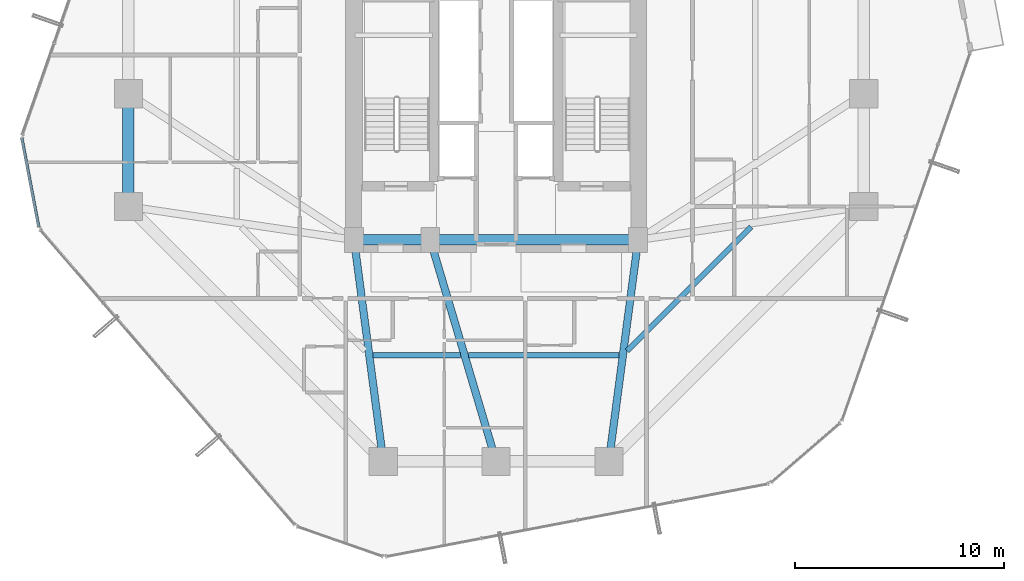
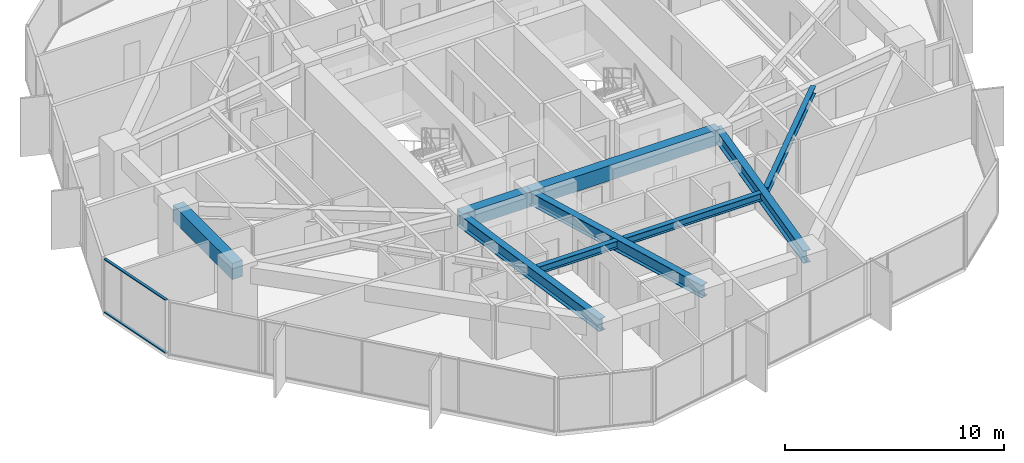
# One storey, part 9 of 38: 9 beams, 2 members, 1 element without a shape of its own.
"""IFC4 building model written with IfcOpenShell, lengths in metres."""

from ifc_helpers import new_model, si_unit, direction, frame, origin, origin_2d, place, context, subcontext, project, spatial, rectangle, hollow_rectangle, i_section, extrude, source, transform, mapped, material, layer, layer_set, material_profile, profile_set, type_object, element, aggregate, save


model = new_model("IFC4")

# Units and contexts
model_context = context("Model", 3, precision=1e-05, world=origin(), true_north=direction((0.0, 1.0)))
body_context = subcontext(model_context, "Body", "Model", "MODEL_VIEW")
ifc_project = project(units=[si_unit("LENGTHUNIT", "METRE"), si_unit("AREAUNIT", "SQUARE_METRE"), si_unit("VOLUMEUNIT", "CUBIC_METRE"), si_unit("PLANEANGLEUNIT", "RADIAN"), si_unit("MASSUNIT", "GRAM", prefix="KILO")], contexts=[model_context])

# Site, building, storey
site_placement = place(None, origin())
site = spatial("IfcSite", under=ifc_project, at=site_placement, CompositionType="ELEMENT")
building_placement = place(site_placement, origin())
building = spatial("IfcBuilding", under=site, at=building_placement, Name="Veraguas Prism Commons", CompositionType="ELEMENT")
storey_placement = place(building_placement, frame((0.0, 0.0, 60.85009765625)))
storey = spatial("IfcBuildingStorey", under=building, at=storey_placement, Name="L16", CompositionType="ELEMENT", Elevation=60.85009765625)

# Beams
ifc_material_1 = material(Name="Concrete C50/60", Category="concrete")
ifc_material_profile_1 = material_profile(ifc_material_1, rectangle(XDim=0.5, YDim=0.85009765625, at=origin_2d()), Name="RC500X850")
ifc_profile_set_1 = profile_set([ifc_material_profile_1], Name="Concrete C50/60")
beam_type_1 = type_object("IfcBeamType", Name="Core Coupling Beam RC 500x850", PredefinedType="BEAM", material=ifc_profile_set_1)
beam_1_placement = place(storey_placement, frame((17.199951171875, 17.0, 2.574951171875), z_axis=(1.0, 0.0, 0.0), x_axis=(0.0, 1.0, 0.0)))
element("IfcBeam", 1, at=beam_1_placement, inside=storey, type_object=beam_type_1, Name="Core Coupling Beam L16-CRS1", PredefinedType="BEAM", context=body_context, shape_type="SweptSolid", body=[
    extrude(rectangle(XDim=0.5, YDim=0.85009765625, at=origin_2d()), origin(), (0.0, 0.0, 1.0), 3.650146484375),
])
beam_2_placement = place(storey_placement, frame((20.85009765625, 17.0, 2.574951171875), z_axis=(1.0, 0.0, 0.0), x_axis=(0.0, 1.0, 0.0)))
element("IfcBeam", 2, at=beam_2_placement, inside=storey, type_object=beam_type_1, Name="Core Coupling Beam L16-CRS2", PredefinedType="BEAM", context=body_context, shape_type="SweptSolid", body=[
    extrude(rectangle(XDim=0.5, YDim=0.85009765625, at=origin_2d()), origin(), (0.0, 0.0, 1.0), 9.949951171875),
])
ifc_material_2 = material(Name="Steel ASTM A992 Grade 50", Category="steel")
ifc_material_profile_2 = material_profile(ifc_material_2, i_section(OverallWidth=0.260986328125, OverallDepth=0.419921875, WebThickness=0.01171875, FlangeThickness=0.019287109375, at=origin_2d()), Name="W410X114")
ifc_profile_set_2 = profile_set([ifc_material_profile_2], Name="Steel ASTM A992 Grade 50")
beam_type_2 = type_object("IfcBeamType", Name="Lower Floor Joist W410x114", PredefinedType="JOIST", material=ifc_profile_set_2)
beam_3_placement = place(storey_placement, frame((18.10546875, 11.488037109375, 2.789794921875), z_axis=(1.0, 0.0, 0.0), x_axis=(0.0, 1.0, 0.0)))
element("IfcBeam", 3, at=beam_3_placement, inside=storey, type_object=beam_type_2, Name="Composite Floor Joist L16-JS10", PredefinedType="JOIST", context=body_context, shape_type="SweptSolid", body=[
    extrude(i_section(OverallWidth=0.260986328125, OverallDepth=0.419921875, WebThickness=0.01171875, FlangeThickness=0.019287109375, at=origin_2d()), origin(), (0.0, 0.0, 1.0), 4.198974609375),
])
beam_4_placement = place(storey_placement, frame((22.671630859375, 11.488037109375, 2.789794921875), z_axis=(1.0, 0.0, 0.0), x_axis=(0.0, 1.0, 0.0)))
element("IfcBeam", 4, at=beam_4_placement, inside=storey, type_object=beam_type_2, Name="Composite Floor Joist L16-JS11", PredefinedType="JOIST", context=body_context, shape_type="SweptSolid", body=[
    extrude(i_section(OverallWidth=0.260986328125, OverallDepth=0.419921875, WebThickness=0.01171875, FlangeThickness=0.019287109375, at=origin_2d()), origin(), (0.0, 0.0, 1.0), 7.222900390625),
])
beam_5_placement = place(storey_placement, frame((30.276611328125, 11.6923828125, 2.789794921875), z_axis=(0.707092226423, 0.70712133565, 0.0), x_axis=(-0.70712133565, 0.707092226423, 0.0)))
element("IfcBeam", 5, at=beam_5_placement, inside=storey, type_object=beam_type_2, Name="Composite Floor Joist L16-JS12", PredefinedType="JOIST", context=body_context, shape_type="SweptSolid", body=[
    extrude(i_section(OverallWidth=0.260986328125, OverallDepth=0.419921875, WebThickness=0.01171875, FlangeThickness=0.019287109375, at=origin_2d()), origin(), (0.0, 0.0, 1.0), 8.386962890625),
])
ifc_material_profile_3 = material_profile(ifc_material_1, rectangle(XDim=0.550048828125, YDim=0.89990234375, at=origin_2d()), Name="RC550X900")
ifc_profile_set_3 = profile_set([ifc_material_profile_3], Name="Concrete C50/60")
beam_type_3 = type_object("IfcBeamType", Name="Perimeter Spandrel Lower RC 550x900", PredefinedType="SPANDREL", material=ifc_profile_set_3)
beam_6_placement = place(storey_placement, frame((6.39990234375, 24.0, 2.5498046875), z_axis=(0.0, -1.0, 0.0), x_axis=(1.0, 0.0, 0.0)))
element("IfcBeam", 6, at=beam_6_placement, inside=storey, type_object=beam_type_3, Name="Perimeter Spandrel Beam L16-SP08", PredefinedType="SPANDREL", context=body_context, shape_type="SweptSolid", body=[
    extrude(rectangle(XDim=0.550048828125, YDim=0.89990234375, at=origin_2d()), origin(), (0.0, 0.0, 1.0), 5.39990234375),
])
ifc_material_profile_4 = material_profile(ifc_material_2, i_section(OverallWidth=0.35595703125, OverallDepth=0.700927734375, WebThickness=0.016845703125, FlangeThickness=0.02734375, at=origin_2d()), Name="W690X240")
ifc_profile_set_4 = profile_set([ifc_material_profile_4], Name="Steel ASTM A992 Grade 50")
beam_type_4 = type_object("IfcBeamType", Name="Zone 1 Radial Girder W690x240", PredefinedType="BEAM", material=ifc_profile_set_4)
beam_7_placement = place(storey_placement, frame((18.60009765625, 6.39990234375, 2.6494140625), z_axis=(-0.130950648891, 0.991388888154, 0.0), x_axis=(-0.991388888154, -0.130950648891, 0.0)))
element("IfcBeam", 7, at=beam_7_placement, inside=storey, type_object=beam_type_4, Name="Radial Floor Girder L16-RD10", PredefinedType="BEAM", context=body_context, shape_type="SweptSolid", body=[
    extrude(i_section(OverallWidth=0.35595703125, OverallDepth=0.700927734375, WebThickness=0.016845703125, FlangeThickness=0.02734375, at=origin_2d()), origin(), (0.0, 0.0, 1.0), 10.692138671875),
])
beam_8_placement = place(storey_placement, frame((24.0, 6.39990234375, 2.6494140625), z_axis=(-0.28484745997, 0.958572858237, 0.0), x_axis=(-0.958572858237, -0.28484745997, 0.0)))
element("IfcBeam", 8, at=beam_8_placement, inside=storey, type_object=beam_type_4, Name="Radial Floor Girder L16-RD11", PredefinedType="BEAM", context=body_context, shape_type="SweptSolid", body=[
    extrude(i_section(OverallWidth=0.35595703125, OverallDepth=0.700927734375, WebThickness=0.016845703125, FlangeThickness=0.02734375, at=origin_2d()), origin(), (0.0, 0.0, 1.0), 11.05810546875),
])
beam_9_placement = place(storey_placement, frame((29.39990234375, 6.39990234375, 2.6494140625), z_axis=(0.130950648891, 0.991388888154, 0.0), x_axis=(-0.991388888154, 0.130950648891, 0.0)))
element("IfcBeam", 9, at=beam_9_placement, inside=storey, type_object=beam_type_4, Name="Radial Floor Girder L16-RD12", PredefinedType="BEAM", context=body_context, shape_type="SweptSolid", body=[
    extrude(i_section(OverallWidth=0.35595703125, OverallDepth=0.700927734375, WebThickness=0.016845703125, FlangeThickness=0.02734375, at=origin_2d()), origin(), (0.0, 0.0, 1.0), 10.692138671875),
])

# Curtain wall, members
ifc_material_3 = material(Name="Anodised aluminium EN AW-6063 T6", Category="aluminium")
ifc_layer = layer(ifc_material_3, 0.169921875, Name="Unitised Flush Curtain Wall Zone 1", Category="aluminium")
ifc_layer_set = layer_set([ifc_layer], Name="Anodised aluminium EN AW-6063 T6")
curtain_wall_type = type_object("IfcCurtainWallType", Name="Unitised Flush Curtain Wall Zone 1", PredefinedType="NOTDEFINED", material=ifc_layer_set)
curtain_wall_placement = place(storey_placement, origin())
curtain_wall = element("IfcCurtainWall", 10, at=curtain_wall_placement, inside=storey, type_object=curtain_wall_type, Name="Chamfer Curtain Wall L16-C4", PredefinedType="NOTDEFINED")
ifc_material_profile_5 = material_profile(ifc_material_3, hollow_rectangle(XDim=0.054931640625, YDim=0.135009765625, WallThickness=0.0029296875, at=origin_2d()), Name="AL55X135X3")
ifc_profile_set_5 = profile_set([ifc_material_profile_5], Name="Anodised aluminium EN AW-6063 T6")
member_type = type_object("IfcMemberType", Name="Curtain Wall Transom Standard AL 55x135x3", PredefinedType="USERDEFINED", material=ifc_profile_set_5)
shared_shape = source(origin(), body_context, "Body", "SweptSolid", [
    extrude(hollow_rectangle(XDim=0.054931640625, YDim=0.135009765625, WallThickness=0.0029296875, at=origin_2d()), origin(), (0.0, 0.0, 1.0), 4.320068359375),
])
member_1_placement = place(storey_placement, frame((1.295654296875, 21.8759765625, 0.02734375), z_axis=(0.187054977202, -0.982349446737, 0.0), x_axis=(0.0, 0.0, 1.0)))
member_1 = element("IfcMember", 11, at=member_1_placement, type_object=member_type, Name="CW-Z1 Transom 1", ObjectType="TRANSOM", PredefinedType="USERDEFINED", context=body_context, shape_type="MappedRepresentation", body=[
    mapped(shared_shape, transform((0.0, 0.0, 0.0), scale=1.0)),
])
member_2_placement = place(storey_placement, frame((1.295654296875, 21.8759765625, 2.972412109375), z_axis=(0.187054977202, -0.982349446737, 0.0), x_axis=(0.0, 0.0, 1.0)))
member_2 = element("IfcMember", 12, at=member_2_placement, type_object=member_type, Name="CW-Z1 Transom 2", ObjectType="TRANSOM", PredefinedType="USERDEFINED", context=body_context, shape_type="MappedRepresentation", body=[
    mapped(shared_shape, transform((0.0, 0.0, 0.0), scale=1.0)),
])
aggregate(curtain_wall, [member_1, member_2])

save(model, "model.ifc")
